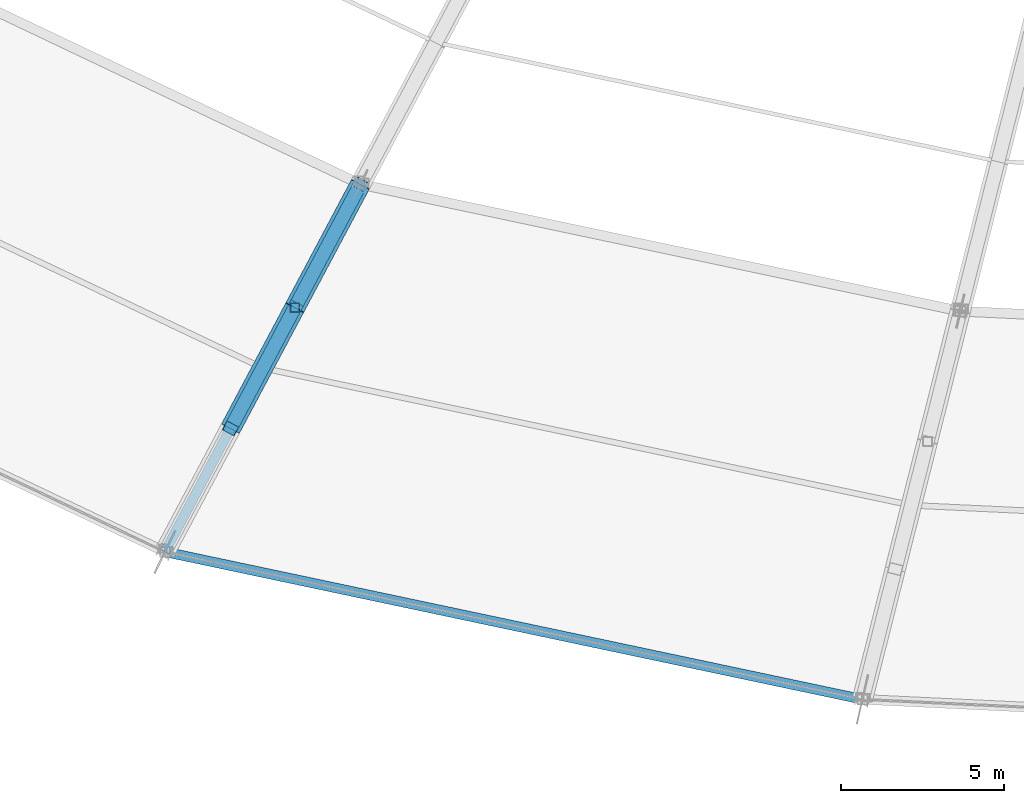
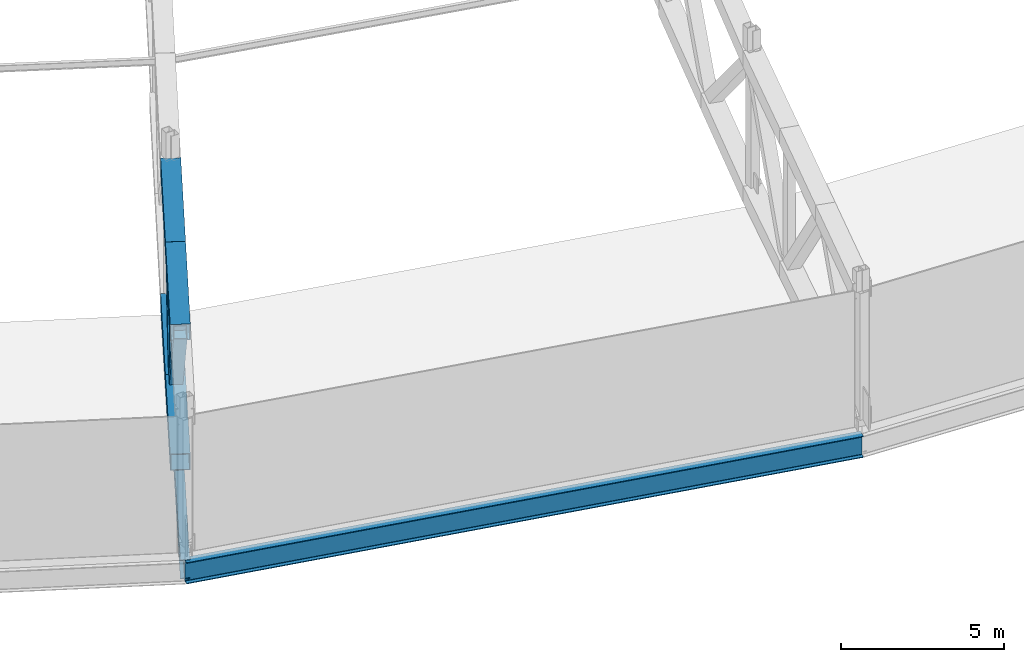
# One storey, part 16 of 162: 7 members, 2 beams.
"""IFC4 building model written with IfcOpenShell, lengths in metres."""

from ifc_helpers import new_model, si_unit, direction, frame, origin, origin_2d, place, context, subcontext, project, spatial, hollow_rectangle, i_section, extrude, material, material_profile, profile_set, type_object, element, save


model = new_model("IFC4")

# Units and contexts
model_context = context("Model", 3, precision=1e-05, world=origin(), true_north=direction((0.0, 1.0)))
body_context = subcontext(model_context, "Body", "Model", "MODEL_VIEW")
ifc_project = project(units=[si_unit("LENGTHUNIT", "METRE"), si_unit("AREAUNIT", "SQUARE_METRE"), si_unit("VOLUMEUNIT", "CUBIC_METRE"), si_unit("PLANEANGLEUNIT", "RADIAN"), si_unit("MASSUNIT", "GRAM", prefix="KILO")], contexts=[model_context])

# Site, building, storey
site_placement = place(None, origin())
site = spatial("IfcSite", under=ifc_project, at=site_placement, CompositionType="ELEMENT")
building_placement = place(site_placement, origin())
building = spatial("IfcBuilding", under=site, at=building_placement, Name="Kazemori Nagisa Stadium", CompositionType="ELEMENT")
storey_placement = place(building_placement, frame((0.0, 0.0, 36.719970703125)))
storey = spatial("IfcBuildingStorey", under=building, at=storey_placement, Name="RF", CompositionType="ELEMENT", Elevation=36.719970703125)

# Beams
ifc_material_1 = material(Name="Steel SN490B", Category="steel")
ifc_material_profile_1 = material_profile(ifc_material_1, i_section(OverallWidth=0.300048828125, OverallDepth=0.699951171875, WebThickness=0.012939453125, FlangeThickness=0.02392578125, FilletRadius=0.01806640625, at=origin_2d()), Name="H-700x300x13x24")
ifc_profile_set_1 = profile_set([ifc_material_profile_1], Name="Steel SN490B")
beam_type_1 = type_object("IfcBeamType", Name="Beam_BG-H700", PredefinedType="BEAM", material=ifc_profile_set_1)
beam_1_placement = place(storey_placement, frame((86.18798828125, 32.80078125, -0.6298828125), z_axis=(-0.469648511848, -0.882853484628, 0.0), x_axis=(0.882853484628, -0.469648511848, 0.0)))
element("IfcBeam", 1, at=beam_1_placement, inside=storey, type_object=beam_type_1, Name="Radial girder BG-H700 RF R2-R3-20", PredefinedType="BEAM", context=body_context, shape_type="SweptSolid", body=[
    extrude(i_section(OverallWidth=0.300048828125, OverallDepth=0.699951171875, WebThickness=0.012939453125, FlangeThickness=0.02392578125, FilletRadius=0.01806640625, at=origin_2d()), origin(), (0.0, 0.0, 1.0), 12.760009765625),
])
ifc_material_profile_2 = material_profile(ifc_material_1, i_section(OverallWidth=0.300048828125, OverallDepth=0.800048828125, WebThickness=0.013916015625, FlangeThickness=0.02587890625, FilletRadius=0.01806640625, at=origin_2d()), Name="H-800x300x14x26")
ifc_profile_set_2 = profile_set([ifc_material_profile_2], Name="Steel SN490B")
beam_type_2 = type_object("IfcBeamType", Name="Beam_BG-H800", PredefinedType="BEAM", material=ifc_profile_set_2)
beam_2_placement = place(storey_placement, frame((80.1953125, 21.53564453125, -0.679931640625), z_axis=(0.97834587432, -0.206976689994, 0.0), x_axis=(0.206976689994, 0.97834587432, 0.0)))
element("IfcBeam", 2, at=beam_2_placement, inside=storey, type_object=beam_type_2, Name="Roof compression ring beam BG-H800 R3-20", PredefinedType="BEAM", context=body_context, shape_type="SweptSolid", body=[
    extrude(i_section(OverallWidth=0.300048828125, OverallDepth=0.800048828125, WebThickness=0.013916015625, FlangeThickness=0.02587890625, FilletRadius=0.01806640625, at=origin_2d()), origin(), (0.0, 0.0, 1.0), 21.85009765625),
])

# Members
ifc_material_2 = material(Name="Steel STKR490", Category="steel")
ifc_material_profile_3 = material_profile(ifc_material_2, hollow_rectangle(XDim=0.419921875, YDim=0.419921875, WallThickness=0.01611328125, at=origin_2d()), Name="SHS-420x420x16")
ifc_profile_set_3 = profile_set([ifc_material_profile_3], Name="Steel STKR490")
member_type_1 = type_object("IfcMemberType", Name="Member_TB-SHS420", PredefinedType="BRACE", material=ifc_profile_set_3)
member_1_placement = place(storey_placement, frame((82.20703125, 25.317626953125, 5.260009765625), z_axis=(0.308218417278, 0.579404764334, -0.754514099482), x_axis=(-0.882856977969, 0.469641944945, 0.0)))
element("IfcMember", 3, at=member_1_placement, inside=storey, type_object=member_type_1, Name="Roof space truss diagonal RT-20-2", PredefinedType="BRACE", context=body_context, shape_type="SweptSolid", body=[
    extrude(hollow_rectangle(XDim=0.419921875, YDim=0.419921875, WallThickness=0.01611328125, at=origin_2d()), origin(), (0.0, 0.0, 1.0), 6.388427734375),
])
member_2_placement = place(storey_placement, frame((84.176025390625, 29.01904296875, 0.43994140625), z_axis=(0.301385485298, 0.566492072233, 0.766976871457), x_axis=(-0.882833673063, 0.469685752079, 0.0)))
element("IfcMember", 4, at=member_2_placement, inside=storey, type_object=member_type_1, Name="Roof space truss diagonal RT-20-3", PredefinedType="BRACE", context=body_context, shape_type="SweptSolid", body=[
    extrude(hollow_rectangle(XDim=0.419921875, YDim=0.419921875, WallThickness=0.01611328125, at=origin_2d()), origin(), (0.0, 0.0, 1.0), 6.67578125),
])
ifc_material_profile_4 = material_profile(ifc_material_2, hollow_rectangle(XDim=0.6201171875, YDim=0.6201171875, WallThickness=0.02197265625, at=origin_2d()), Name="SHS-620x620x22")
ifc_profile_set_4 = profile_set([ifc_material_profile_4], Name="Steel STKR490")
member_type_2 = type_object("IfcMemberType", Name="Member_TC-SHS620", PredefinedType="CHORD", material=ifc_profile_set_4)
member_3_placement = place(storey_placement, frame((82.20703125, 25.317626953125, 5.260009765625), z_axis=(0.469300696291, 0.882215481274, 0.038114315694), x_axis=(-0.882856977969, 0.469641944945, 0.0)))
element("IfcMember", 5, at=member_3_placement, inside=storey, type_object=member_type_2, Name="Roof space truss top chord RT-20-2", PredefinedType="CHORD", context=body_context, shape_type="SweptSolid", body=[
    extrude(hollow_rectangle(XDim=0.6201171875, YDim=0.6201171875, WallThickness=0.02197265625, at=origin_2d()), origin(), (0.0, 0.0, 1.0), 4.195556640625),
])
member_4_placement = place(storey_placement, frame((82.20703125, 25.317626953125, 0.400146484375), z_axis=(0.469620790202, 0.882817210199, 0.009491405927), x_axis=(-0.882856977969, 0.469641944945, 0.0)))
element("IfcMember", 6, at=member_4_placement, inside=storey, type_object=member_type_2, Name="Roof space truss bottom chord RT-20-2", PredefinedType="CHORD", context=body_context, shape_type="SweptSolid", body=[
    extrude(hollow_rectangle(XDim=0.6201171875, YDim=0.6201171875, WallThickness=0.02197265625, at=origin_2d()), origin(), (0.0, 0.0, 1.0), 4.192626953125),
])
member_5_placement = place(storey_placement, frame((84.176025390625, 29.01904296875, 5.419921875), z_axis=(0.46943461682, 0.882361632634, 0.032696938485), x_axis=(-0.882833673063, 0.469685752079, 0.0)))
element("IfcMember", 7, at=member_5_placement, inside=storey, type_object=member_type_2, Name="Roof space truss top chord RT-20-3", PredefinedType="CHORD", context=body_context, shape_type="SweptSolid", body=[
    extrude(hollow_rectangle(XDim=0.6201171875, YDim=0.6201171875, WallThickness=0.02197265625, at=origin_2d()), origin(), (0.0, 0.0, 1.0), 4.285888671875),
])
member_6_placement = place(storey_placement, frame((84.176025390625, 29.01904296875, 0.43994140625), z_axis=(0.469665236132, 0.88279511075, 0.009346571863), x_axis=(-0.882833673063, 0.469685752079, 0.0)))
element("IfcMember", 8, at=member_6_placement, inside=storey, type_object=member_type_2, Name="Roof space truss bottom chord RT-20-3", PredefinedType="CHORD", context=body_context, shape_type="SweptSolid", body=[
    extrude(hollow_rectangle(XDim=0.6201171875, YDim=0.6201171875, WallThickness=0.02197265625, at=origin_2d()), origin(), (0.0, 0.0, 1.0), 4.283935546875),
])
ifc_material_profile_5 = material_profile(ifc_material_2, hollow_rectangle(XDim=0.280029296875, YDim=0.280029296875, WallThickness=0.010009765625, at=origin_2d()), Name="SHS-280x280x10")
ifc_profile_set_5 = profile_set([ifc_material_profile_5], Name="Steel STKR490")
member_type_3 = type_object("IfcMemberType", Name="Member_TS-SHS280", PredefinedType="STRUT", material=ifc_profile_set_5)
member_7_placement = place(storey_placement, frame((84.176025390625, 29.01904296875, 0.43994140625), z_axis=(0.0, 0.0, 1.0), x_axis=(1.0, 0.0, 0.0)))
element("IfcMember", 9, at=member_7_placement, inside=storey, type_object=member_type_3, Name="Roof space truss strut RT-20-3", PredefinedType="STRUT", context=body_context, shape_type="SweptSolid", body=[
    extrude(hollow_rectangle(XDim=0.280029296875, YDim=0.280029296875, WallThickness=0.010009765625, at=origin_2d()), origin(), (0.0, 0.0, 1.0), 4.97998046875),
])

save(model, "model.ifc")
